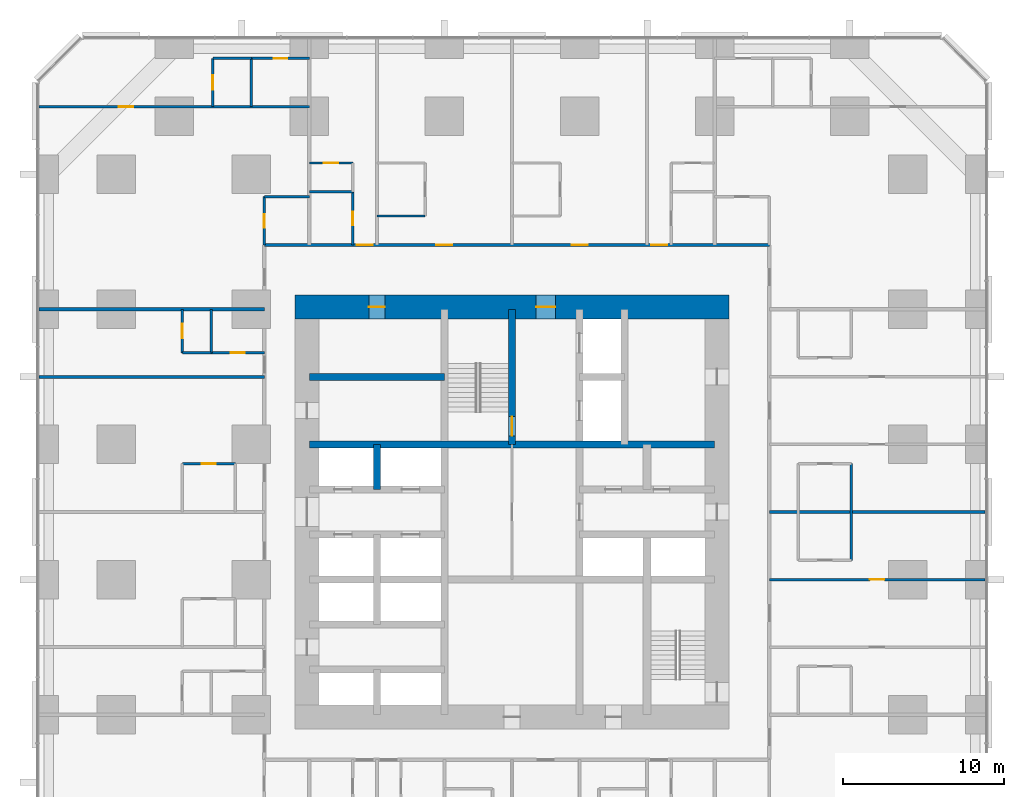
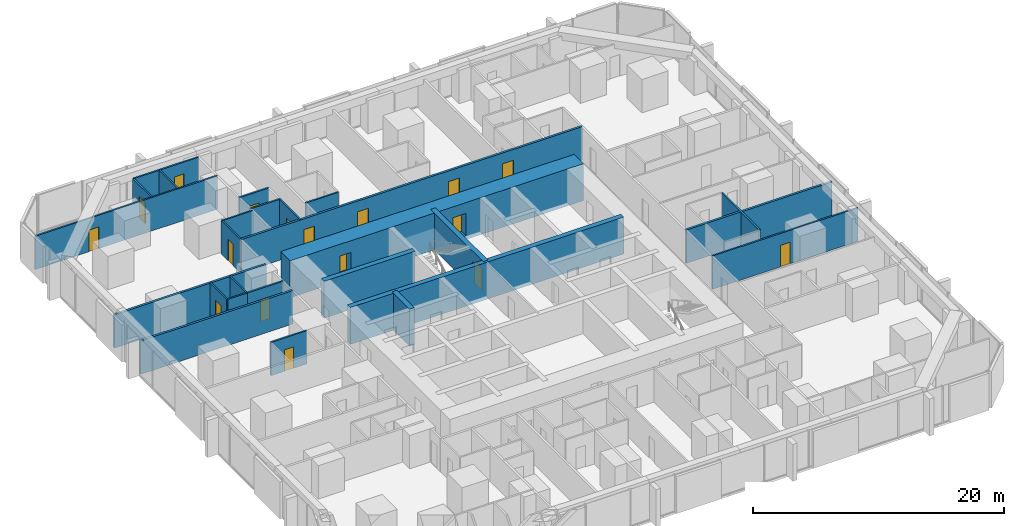
# One storey, part 14 of 17: 27 walls, 17 doors, 17 openings.
"""IFC4 building model written with IfcOpenShell, lengths in metres."""

from ifc_helpers import new_model, si_unit, direction, frame, frame_2d, origin, place, context, subcontext, project, spatial, rectangle, extrude, material, layer, layer_set, type_object, element, fill, save


model = new_model("IFC4")

# Units and contexts
model_context = context("Model", 3, precision=1e-05, world=origin(), true_north=direction((0.0, 1.0)))
body_context = subcontext(model_context, "Body", "Model", "MODEL_VIEW")
ifc_project = project(units=[si_unit("LENGTHUNIT", "METRE"), si_unit("AREAUNIT", "SQUARE_METRE"), si_unit("VOLUMEUNIT", "CUBIC_METRE"), si_unit("PLANEANGLEUNIT", "RADIAN"), si_unit("MASSUNIT", "GRAM", prefix="KILO")], contexts=[model_context])

# Site, building, storey
site_placement = place(None, origin())
site = spatial("IfcSite", under=ifc_project, at=site_placement, CompositionType="ELEMENT")
building_placement = place(site_placement, origin())
building = spatial("IfcBuilding", under=site, at=building_placement, Name="Dunama Terrace Hotel", CompositionType="ELEMENT")
storey_placement = place(building_placement, frame((0.0, 0.0, 81.0)))
storey = spatial("IfcBuildingStorey", under=building, at=storey_placement, Name="L20", CompositionType="ELEMENT", Elevation=81.0)

# Wall, opening, door
ifc_material_1 = material(Name="Gypsum board partition", Category="masonry")
ifc_layer_1 = layer(ifc_material_1, 0.14990234375)
ifc_layer_set_1 = layer_set([ifc_layer_1], Name="Bathroom partition 150")
wall_type_1 = type_object("IfcWallType", Name="Bathroom partition 150", PredefinedType="PARTITIONING", material=ifc_layer_set_1)
wall_1_placement = place(storey_placement, frame((14.0, 46.0, 0.0), z_axis=(0.0, 0.0, 1.0), x_axis=(0.0, 1.0, 0.0)))
wall_1 = element("IfcWall", 1, at=wall_1_placement, inside=storey, type_object=wall_type_1, Name="Bathroom partition 150 L20", PredefinedType="PARTITIONING", context=body_context, shape_type="SweptSolid", body=[
    extrude(rectangle(XDim=3.0, YDim=0.14990234375, at=frame_2d((1.5, 0.0))), origin(), (0.0, 0.0, 1.0), 3.25),
])
opening_1_placement = place(wall_1_placement, frame((1.074951171875, 0.0, 0.0)))
opening_1 = element("IfcOpeningElement", 2, at=opening_1_placement, cuts=wall_1, Name="Opening L20-069", PredefinedType="OPENING", context=body_context, shape_type="SweptSolid", body=[
    extrude(rectangle(XDim=0.85009765625, YDim=2.10009765625, at=frame_2d((0.425048828125, 1.050048828125))), frame((0.0, 0.0849609375, 0.0), z_axis=(0.0, -1.0, 0.0), x_axis=(1.0, 0.0, 0.0)), (0.0, 0.0, 1.0), 0.169921875),
])
ifc_material_2 = material(Name="Timber door with steel frame", Category="steel")
door_type_1 = type_object("IfcDoorType", Name="Bathroom door 850", OperationType="SINGLE_SWING_LEFT", PredefinedType="DOOR", material=ifc_material_2)
door_1_placement = place(opening_1_placement, frame((0.85009765625, 0.0, 0.0), z_axis=(0.0, 0.0, 1.0), x_axis=(-1.0, 0.0, 0.0)))
door_1 = element("IfcDoor", 3, at=door_1_placement, inside=storey, type_object=door_type_1, Name="Door to powder room L20-069, type D2", OperationType="SINGLE_SWING_RIGHT", OverallHeight=2.10009765625, OverallWidth=0.85009765625, PredefinedType="DOOR", context=body_context, shape_type="SweptSolid", body=[
    extrude(rectangle(XDim=0.85009765625, YDim=2.10009765625, at=frame_2d((0.425048828125, 1.050048828125))), frame((0.0, 0.025146484375, 0.0), z_axis=(0.0, -1.0, 0.0), x_axis=(1.0, 0.0, 0.0)), (0.0, 0.0, 1.0), 0.050048828125),
])
fill(opening_1, door_1)

wall_2_placement = place(storey_placement, frame((19.5, 46.0, 0.0), z_axis=(0.0, 0.0, 1.0), x_axis=(0.0, 1.0, 0.0)))
wall_2 = element("IfcWall", 4, at=wall_2_placement, inside=storey, type_object=wall_type_1, Name="Bathroom partition 150 L20", PredefinedType="PARTITIONING", context=body_context, shape_type="SweptSolid", body=[
    extrude(rectangle(XDim=3.300048828125, YDim=0.14990234375, at=frame_2d((1.64990234375, 0.0))), origin(), (0.0, 0.0, 1.0), 3.25),
])
opening_2_placement = place(wall_2_placement, frame((1.22509765625, 0.0, 0.0)))
opening_2 = element("IfcOpeningElement", 5, at=opening_2_placement, cuts=wall_2, Name="Opening L20-034", PredefinedType="OPENING", context=body_context, shape_type="SweptSolid", body=[
    extrude(rectangle(XDim=0.85009765625, YDim=2.10009765625, at=frame_2d((0.425048828125, 1.050048828125))), frame((0.0, 0.0849609375, 0.0), z_axis=(0.0, -1.0, 0.0), x_axis=(1.0, 0.0, 0.0)), (0.0, 0.0, 1.0), 0.169921875),
])
door_2_placement = place(opening_2_placement, origin())
door_2 = element("IfcDoor", 6, at=door_2_placement, inside=storey, type_object=door_type_1, Name="Door to en-suite bathroom L20-034, type D2", OperationType="SINGLE_SWING_LEFT", OverallHeight=2.10009765625, OverallWidth=0.85009765625, PredefinedType="DOOR", context=body_context, shape_type="SweptSolid", body=[
    extrude(rectangle(XDim=0.85009765625, YDim=2.10009765625, at=frame_2d((0.425048828125, 1.050048828125))), frame((0.0, 0.02490234375, 0.0), z_axis=(0.0, -1.0, 0.0), x_axis=(1.0, 0.0, 0.0)), (0.0, 0.0, 1.0), 0.050048828125),
])
fill(opening_2, door_2)

# Wall
wall_3_placement = place(storey_placement, frame((50.5, 26.39990234375, 0.0), z_axis=(0.0, 0.0, 1.0), x_axis=(0.0, 1.0, 0.0)))
element("IfcWall", 7, at=wall_3_placement, inside=storey, type_object=wall_type_1, Name="Bathroom partition 150 L20", PredefinedType="PARTITIONING", context=body_context, shape_type="SweptSolid", body=[
    extrude(rectangle(XDim=6.0, YDim=0.14990234375, at=frame_2d((3.0, 0.0))), origin(), (0.0, 0.0, 1.0), 3.25),
])

# Wall, opening, door
wall_4_placement = place(storey_placement, frame((8.89990234375, 32.39990234375, 0.0), z_axis=(0.0, 0.0, 1.0), x_axis=(1.0, 0.0, 0.0)))
wall_4 = element("IfcWall", 8, at=wall_4_placement, inside=storey, type_object=wall_type_1, Name="Bathroom partition 150 L20", PredefinedType="PARTITIONING", context=body_context, shape_type="SweptSolid", body=[
    extrude(rectangle(XDim=3.300048828125, YDim=0.14990234375, at=frame_2d((1.64990234375, 0.0))), origin(), (0.0, 0.0, 1.0), 3.25),
])
opening_3_placement = place(wall_4_placement, frame((1.22509765625, 0.0, 0.0)))
opening_3 = element("IfcOpeningElement", 9, at=opening_3_placement, cuts=wall_4, Name="Opening L20-049", PredefinedType="OPENING", context=body_context, shape_type="SweptSolid", body=[
    extrude(rectangle(XDim=0.85009765625, YDim=2.10009765625, at=frame_2d((0.425048828125, 1.050048828125))), frame((0.0, 0.0849609375, 0.0), z_axis=(0.0, -1.0, 0.0), x_axis=(1.0, 0.0, 0.0)), (0.0, 0.0, 1.0), 0.169921875),
])
door_3_placement = place(opening_3_placement, frame((0.85009765625, 0.0, 0.0), z_axis=(0.0, 0.0, 1.0), x_axis=(-1.0, 0.0, 0.0)))
door_3 = element("IfcDoor", 10, at=door_3_placement, inside=storey, type_object=door_type_1, Name="Door to en-suite bathroom L20-049, type D2", OperationType="SINGLE_SWING_LEFT", OverallHeight=2.10009765625, OverallWidth=0.85009765625, PredefinedType="DOOR", context=body_context, shape_type="SweptSolid", body=[
    extrude(rectangle(XDim=0.85009765625, YDim=2.10009765625, at=frame_2d((0.425048828125, 1.050048828125))), frame((0.0, 0.025146484375, 0.0), z_axis=(0.0, -1.0, 0.0), x_axis=(1.0, 0.0, 0.0)), (0.0, 0.0, 1.0), 0.050048828125),
])
fill(opening_3, door_3)

wall_5_placement = place(storey_placement, frame((10.699951171875, 39.300048828125, 0.0), z_axis=(0.0, 0.0, 1.0), x_axis=(1.0, 0.0, 0.0)))
wall_5 = element("IfcWall", 11, at=wall_5_placement, inside=storey, type_object=wall_type_1, Name="Bathroom partition 150 L20", PredefinedType="PARTITIONING", context=body_context, shape_type="SweptSolid", body=[
    extrude(rectangle(XDim=3.300048828125, YDim=0.14990234375, at=frame_2d((1.64990234375, 0.0))), origin(), (0.0, 0.0, 1.0), 3.25),
])
opening_4_placement = place(wall_5_placement, frame((1.22509765625, 0.0, 0.0)))
opening_4 = element("IfcOpeningElement", 12, at=opening_4_placement, cuts=wall_5, Name="Opening L20-051", PredefinedType="OPENING", context=body_context, shape_type="SweptSolid", body=[
    extrude(rectangle(XDim=0.85009765625, YDim=2.10009765625, at=frame_2d((0.425048828125, 1.050048828125))), frame((0.0, 0.0849609375, 0.0), z_axis=(0.0, -1.0, 0.0), x_axis=(1.0, 0.0, 0.0)), (0.0, 0.0, 1.0), 0.169921875),
])
door_4_placement = place(opening_4_placement, origin())
door_4 = element("IfcDoor", 13, at=door_4_placement, inside=storey, type_object=door_type_1, Name="Door to en-suite bathroom L20-051, type D2", OperationType="SINGLE_SWING_RIGHT", OverallHeight=2.10009765625, OverallWidth=0.85009765625, PredefinedType="DOOR", context=body_context, shape_type="SweptSolid", body=[
    extrude(rectangle(XDim=0.85009765625, YDim=2.10009765625, at=frame_2d((0.425048828125, 1.050048828125))), frame((0.0, 0.02490234375, 0.0), z_axis=(0.0, -1.0, 0.0), x_axis=(1.0, 0.0, 0.0)), (0.0, 0.0, 1.0), 0.050048828125),
])
fill(opening_4, door_4)

# Walls
wall_6_placement = place(storey_placement, frame((21.0, 47.800048828125, 0.0), z_axis=(0.0, 0.0, 1.0), x_axis=(1.0, 0.0, 0.0)))
element("IfcWall", 14, at=wall_6_placement, inside=storey, type_object=wall_type_1, Name="Bathroom partition 150 L20", PredefinedType="PARTITIONING", context=body_context, shape_type="SweptSolid", body=[
    extrude(rectangle(XDim=3.0, YDim=0.14990234375, at=frame_2d((1.5, 0.0))), origin(), (0.0, 0.0, 1.0), 3.25),
])
wall_7_placement = place(storey_placement, frame((14.0, 49.0, 0.0), z_axis=(0.0, 0.0, 1.0), x_axis=(1.0, 0.0, 0.0)))
element("IfcWall", 15, at=wall_7_placement, inside=storey, type_object=wall_type_1, Name="Bathroom partition 150 L20", PredefinedType="PARTITIONING", context=body_context, shape_type="SweptSolid", body=[
    extrude(rectangle(XDim=2.800048828125, YDim=0.14990234375, at=frame_2d((1.39990234375, 0.0))), origin(), (0.0, 0.0, 1.0), 3.25),
])

# Wall, opening, door
wall_8_placement = place(storey_placement, frame((13.199951171875, 57.60009765625, 0.0), z_axis=(0.0, 0.0, 1.0), x_axis=(1.0, 0.0, 0.0)))
wall_8 = element("IfcWall", 16, at=wall_8_placement, inside=storey, type_object=wall_type_1, Name="Bathroom partition 150 L20", PredefinedType="PARTITIONING", context=body_context, shape_type="SweptSolid", body=[
    extrude(rectangle(XDim=3.60009765625, YDim=0.14990234375, at=frame_2d((1.800048828125, 0.0))), origin(), (0.0, 0.0, 1.0), 3.25),
])
opening_5_placement = place(wall_8_placement, frame((1.375, 0.0, 0.0)))
opening_5 = element("IfcOpeningElement", 17, at=opening_5_placement, cuts=wall_8, Name="Opening L20-071", PredefinedType="OPENING", context=body_context, shape_type="SweptSolid", body=[
    extrude(rectangle(XDim=0.85009765625, YDim=2.10009765625, at=frame_2d((0.425048828125, 1.050048828125))), frame((0.0, 0.0849609375, 0.0), z_axis=(0.0, -1.0, 0.0), x_axis=(1.0, 0.0, 0.0)), (0.0, 0.0, 1.0), 0.169921875),
])
door_5_placement = place(opening_5_placement, frame((0.85009765625, 0.0, 0.0), z_axis=(0.0, 0.0, 1.0), x_axis=(-1.0, 0.0, 0.0)))
door_5 = element("IfcDoor", 18, at=door_5_placement, inside=storey, type_object=door_type_1, Name="Door to en-suite bathroom L20-071, type D2", OperationType="SINGLE_SWING_LEFT", OverallHeight=2.10009765625, OverallWidth=0.85009765625, PredefinedType="DOOR", context=body_context, shape_type="SweptSolid", body=[
    extrude(rectangle(XDim=0.85009765625, YDim=2.10009765625, at=frame_2d((0.425048828125, 1.050048828125))), frame((0.0, 0.025146484375, 0.0), z_axis=(0.0, -1.0, 0.0), x_axis=(1.0, 0.0, 0.0)), (0.0, 0.0, 1.0), 0.050048828125),
])
fill(opening_5, door_5)

# Wall
ifc_material_3 = material(Name="Concrete C50/60", Category="concrete")
ifc_layer_2 = layer(ifc_material_3, 0.449951171875)
ifc_layer_set_2 = layer_set([ifc_layer_2], Name="Core inner wall 450")
wall_type_2 = type_object("IfcWallType", Name="Core inner wall 450", PredefinedType="SHEAR", material=ifc_layer_set_2)
wall_9_placement = place(storey_placement, frame((21.0, 30.800048828125, -0.35009765625), z_axis=(0.0, 0.0, 1.0), x_axis=(0.0, 1.0, 0.0)))
element("IfcWall", 19, at=wall_9_placement, inside=storey, type_object=wall_type_2, Name="Core inner wall 450 L20", PredefinedType="SHEAR", context=body_context, shape_type="SweptSolid", body=[
    extrude(rectangle(XDim=2.800048828125, YDim=0.449951171875, at=frame_2d((1.39990234375, 0.0))), origin(), (0.0, 0.0, 1.0), 3.60009765625),
])

# Wall, opening, door
wall_10_placement = place(storey_placement, frame((29.39990234375, 33.60009765625, -0.35009765625), z_axis=(0.0, 0.0, 1.0), x_axis=(0.0, 1.0, 0.0)))
wall_10 = element("IfcWall", 20, at=wall_10_placement, inside=storey, type_object=wall_type_2, Name="Core inner wall 450 L20", PredefinedType="SHEAR", context=body_context, shape_type="SweptSolid", body=[
    extrude(rectangle(XDim=8.39990234375, YDim=0.449951171875, at=frame_2d((4.199951171875, 0.0))), origin(), (0.0, 0.0, 1.0), 3.60009765625),
])
opening_6_placement = place(wall_10_placement, frame((0.52490234375, 0.0, 0.35009765625)))
opening_6 = element("IfcOpeningElement", 21, at=opening_6_placement, cuts=wall_10, Name="Opening L20-001", PredefinedType="OPENING", context=body_context, shape_type="SweptSolid", body=[
    extrude(rectangle(XDim=1.199951171875, YDim=2.199951171875, at=frame_2d((0.60009765625, 1.10009765625))), frame((0.0, 0.23486328125, 0.0), z_axis=(0.0, -1.0, 0.0), x_axis=(1.0, 0.0, 0.0)), (0.0, 0.0, 1.0), 0.469970703125),
])
ifc_material_4 = material(Name="Timber door with steel frame", Category="steel")
door_type_2 = type_object("IfcDoorType", Name="Stair door 1200", OperationType="SINGLE_SWING_LEFT", PredefinedType="DOOR", material=ifc_material_4)
door_6_placement = place(opening_6_placement, origin())
door_6 = element("IfcDoor", 22, at=door_6_placement, inside=storey, type_object=door_type_2, Name="Stair door ST1 L20-001, type D5", OperationType="SINGLE_SWING_LEFT", OverallHeight=2.199951171875, OverallWidth=1.199951171875, PredefinedType="DOOR", context=body_context, shape_type="SweptSolid", body=[
    extrude(rectangle(XDim=1.199951171875, YDim=2.199951171875, at=frame_2d((0.60009765625, 1.10009765625))), frame((0.0, 0.02490234375, 0.0), z_axis=(0.0, -1.0, 0.0), x_axis=(1.0, 0.0, 0.0)), (0.0, 0.0, 1.0), 0.050048828125),
])
fill(opening_6, door_6)

# Walls
wall_11_placement = place(storey_placement, frame((16.800048828125, 33.60009765625, -0.35009765625), z_axis=(0.0, 0.0, 1.0), x_axis=(1.0, 0.0, 0.0)))
element("IfcWall", 23, at=wall_11_placement, inside=storey, type_object=wall_type_2, Name="Core inner wall 450 L20", PredefinedType="SHEAR", context=body_context, shape_type="SweptSolid", body=[
    extrude(rectangle(XDim=25.199951171875, YDim=0.449951171875, at=frame_2d((12.60009765625, 0.0))), origin(), (0.0, 0.0, 1.0), 3.60009765625),
])
wall_12_placement = place(storey_placement, frame((16.800048828125, 37.800048828125, -0.35009765625), z_axis=(0.0, 0.0, 1.0), x_axis=(1.0, 0.0, 0.0)))
element("IfcWall", 24, at=wall_12_placement, inside=storey, type_object=wall_type_2, Name="Core inner wall 450 L20", PredefinedType="SHEAR", context=body_context, shape_type="SweptSolid", body=[
    extrude(rectangle(XDim=8.39990234375, YDim=0.449951171875, at=frame_2d((4.199951171875, 0.0))), origin(), (0.0, 0.0, 1.0), 3.60009765625),
])

# Wall, openings, doors
ifc_material_5 = material(Name="Concrete C60/75", Category="concrete")
ifc_layer_3 = layer(ifc_material_5, 1.5)
ifc_layer_set_3 = layer_set([ifc_layer_3], Name="Core wall 1500")
wall_type_3 = type_object("IfcWallType", Name="Core wall 1500", PredefinedType="SHEAR", material=ifc_layer_set_3)
wall_13_placement = place(storey_placement, frame((42.89990234375, 42.14990234375, -0.35009765625), z_axis=(0.0, 0.0, 1.0), x_axis=(-1.0, 0.0, 0.0)))
wall_13 = element("IfcWall", 25, at=wall_13_placement, inside=storey, type_object=wall_type_3, Name="Core wall north L20", PredefinedType="SHEAR", context=body_context, shape_type="SweptSolid", body=[
    extrude(rectangle(XDim=27.0, YDim=1.5, at=frame_2d((13.5, 0.0))), origin(), (0.0, 0.0, 1.0), 3.60009765625),
])
opening_7_placement = place(wall_13_placement, frame((21.39990234375, 0.0, 0.35009765625)))
opening_7 = element("IfcOpeningElement", 26, at=opening_7_placement, cuts=wall_13, Name="Opening L20-076", PredefinedType="OPENING", context=body_context, shape_type="SweptSolid", body=[
    extrude(rectangle(XDim=1.0, YDim=2.10009765625, at=frame_2d((0.5, 1.050048828125))), frame((0.0, 0.760009765625, 0.0), z_axis=(0.0, -1.0, 0.0), x_axis=(1.0, 0.0, 0.0)), (0.0, 0.0, 1.0), 1.52001953125),
])
opening_8_placement = place(wall_13_placement, frame((10.800048828125, 0.0, 0.35009765625)))
opening_8 = element("IfcOpeningElement", 27, at=opening_8_placement, cuts=wall_13, Name="Opening L20-082", PredefinedType="OPENING", context=body_context, shape_type="SweptSolid", body=[
    extrude(rectangle(XDim=1.199951171875, YDim=2.199951171875, at=frame_2d((0.60009765625, 1.10009765625))), frame((0.0, 0.760009765625, 0.0), z_axis=(0.0, -1.0, 0.0), x_axis=(1.0, 0.0, 0.0)), (0.0, 0.0, 1.0), 1.52001953125),
])
ifc_material_6 = material(Name="Timber door with steel frame", Category="steel")
door_type_3 = type_object("IfcDoorType", Name="Firefighting lobby door 1200", OperationType="SINGLE_SWING_LEFT", PredefinedType="DOOR", material=ifc_material_6)
door_7_placement = place(opening_8_placement, origin())
door_7 = element("IfcDoor", 28, at=door_7_placement, inside=storey, type_object=door_type_3, Name="Door to firefighting lobby L20-082, type D4", OperationType="SINGLE_SWING_RIGHT", OverallHeight=2.199951171875, OverallWidth=1.199951171875, PredefinedType="DOOR", context=body_context, shape_type="SweptSolid", body=[
    extrude(rectangle(XDim=1.199951171875, YDim=2.199951171875, at=frame_2d((0.60009765625, 1.10009765625))), frame((0.0, 0.02490234375, 0.0), z_axis=(0.0, -1.0, 0.0), x_axis=(1.0, 0.0, 0.0)), (0.0, 0.0, 1.0), 0.050048828125),
])
fill(opening_8, door_7)
ifc_material_7 = material(Name="Timber door with steel frame", Category="steel")
door_type_4 = type_object("IfcDoorType", Name="Service door 1000", OperationType="SINGLE_SWING_LEFT", PredefinedType="DOOR", material=ifc_material_7)
door_8_placement = place(opening_7_placement, origin())
door_8 = element("IfcDoor", 29, at=door_8_placement, inside=storey, type_object=door_type_4, Name="Door to communications and riser room L20-076, type D7", OperationType="SINGLE_SWING_RIGHT", OverallHeight=2.10009765625, OverallWidth=1.0, PredefinedType="DOOR", context=body_context, shape_type="SweptSolid", body=[
    extrude(rectangle(XDim=1.0, YDim=2.10009765625, at=frame_2d((0.5, 1.050048828125))), frame((0.0, 0.02490234375, 0.0), z_axis=(0.0, -1.0, 0.0), x_axis=(1.0, 0.0, 0.0)), (0.0, 0.0, 1.0), 0.050048828125),
])
fill(opening_7, door_8)

ifc_material_8 = material(Name="Concrete blockwork", Category="masonry")
ifc_layer_4 = layer(ifc_material_8, 0.199951171875)
ifc_layer_set_4 = layer_set([ifc_layer_4], Name="Corridor partition 200")
wall_type_4 = type_object("IfcWallType", Name="Corridor partition 200", PredefinedType="PARTITIONING", material=ifc_layer_set_4)
wall_14_placement = place(storey_placement, frame((14.0, 46.0, 0.0), z_axis=(0.0, 0.0, 1.0), x_axis=(1.0, 0.0, 0.0)))
wall_14 = element("IfcWall", 30, at=wall_14_placement, inside=storey, type_object=wall_type_4, Name="Corridor partition 200 L20", PredefinedType="PARTITIONING", context=body_context, shape_type="SweptSolid", body=[
    extrude(rectangle(XDim=31.39990234375, YDim=0.199951171875, at=frame_2d((15.699951171875, 0.0))), origin(), (0.0, 0.0, 1.0), 3.25),
])
opening_9_placement = place(wall_14_placement, frame((5.75, 0.0, 0.0)))
opening_9 = element("IfcOpeningElement", 31, at=opening_9_placement, cuts=wall_14, Name="Opening L20-033", PredefinedType="OPENING", context=body_context, shape_type="SweptSolid", body=[
    extrude(rectangle(XDim=1.0, YDim=2.199951171875, at=frame_2d((0.5, 1.10009765625))), frame((0.0, 0.10986328125, 0.0), z_axis=(0.0, -1.0, 0.0), x_axis=(1.0, 0.0, 0.0)), (0.0, 0.0, 1.0), 0.219970703125),
])
opening_10_placement = place(wall_14_placement, frame((10.699951171875, 0.0, 0.0)))
opening_10 = element("IfcOpeningElement", 32, at=opening_10_placement, cuts=wall_14, Name="Opening L20-036", PredefinedType="OPENING", context=body_context, shape_type="SweptSolid", body=[
    extrude(rectangle(XDim=1.0, YDim=2.199951171875, at=frame_2d((0.5, 1.10009765625))), frame((0.0, 0.10986328125, 0.0), z_axis=(0.0, -1.0, 0.0), x_axis=(1.0, 0.0, 0.0)), (0.0, 0.0, 1.0), 0.219970703125),
])
opening_11_placement = place(wall_14_placement, frame((19.10009765625, 0.0, 0.0)))
opening_11 = element("IfcOpeningElement", 33, at=opening_11_placement, cuts=wall_14, Name="Opening L20-038", PredefinedType="OPENING", context=body_context, shape_type="SweptSolid", body=[
    extrude(rectangle(XDim=1.0, YDim=2.199951171875, at=frame_2d((0.5, 1.10009765625))), frame((0.0, 0.10986328125, 0.0), z_axis=(0.0, -1.0, 0.0), x_axis=(1.0, 0.0, 0.0)), (0.0, 0.0, 1.0), 0.219970703125),
])
opening_12_placement = place(wall_14_placement, frame((24.050048828125, 0.0, 0.0)))
opening_12 = element("IfcOpeningElement", 34, at=opening_12_placement, cuts=wall_14, Name="Opening L20-040", PredefinedType="OPENING", context=body_context, shape_type="SweptSolid", body=[
    extrude(rectangle(XDim=1.0, YDim=2.199951171875, at=frame_2d((0.5, 1.10009765625))), frame((0.0, 0.10986328125, 0.0), z_axis=(0.0, -1.0, 0.0), x_axis=(1.0, 0.0, 0.0)), (0.0, 0.0, 1.0), 0.219970703125),
])
ifc_material_9 = material(Name="Timber door with steel frame", Category="steel")
door_type_5 = type_object("IfcDoorType", Name="Guest room door 1000", OperationType="SINGLE_SWING_LEFT", PredefinedType="DOOR", material=ifc_material_9)
door_9_placement = place(opening_9_placement, origin())
door_9 = element("IfcDoor", 35, at=door_9_placement, inside=storey, type_object=door_type_5, Name="Door to deluxe room L20-033, type D1", OperationType="SINGLE_SWING_RIGHT", OverallHeight=2.199951171875, OverallWidth=1.0, PredefinedType="DOOR", context=body_context, shape_type="SweptSolid", body=[
    extrude(rectangle(XDim=1.0, YDim=2.199951171875, at=frame_2d((0.5, 1.10009765625))), frame((0.0, 0.02490234375, 0.0), z_axis=(0.0, -1.0, 0.0), x_axis=(1.0, 0.0, 0.0)), (0.0, 0.0, 1.0), 0.050048828125),
])
fill(opening_9, door_9)
door_10_placement = place(opening_10_placement, origin())
door_10 = element("IfcDoor", 36, at=door_10_placement, inside=storey, type_object=door_type_5, Name="Door to junior suite L20-036, type D1", OperationType="SINGLE_SWING_LEFT", OverallHeight=2.199951171875, OverallWidth=1.0, PredefinedType="DOOR", context=body_context, shape_type="SweptSolid", body=[
    extrude(rectangle(XDim=1.0, YDim=2.199951171875, at=frame_2d((0.5, 1.10009765625))), frame((0.0, 0.02490234375, 0.0), z_axis=(0.0, -1.0, 0.0), x_axis=(1.0, 0.0, 0.0)), (0.0, 0.0, 1.0), 0.050048828125),
])
fill(opening_10, door_10)
door_11_placement = place(opening_11_placement, origin())
door_11 = element("IfcDoor", 37, at=door_11_placement, inside=storey, type_object=door_type_5, Name="Door to junior suite L20-038, type D1", OperationType="SINGLE_SWING_LEFT", OverallHeight=2.199951171875, OverallWidth=1.0, PredefinedType="DOOR", context=body_context, shape_type="SweptSolid", body=[
    extrude(rectangle(XDim=1.0, YDim=2.199951171875, at=frame_2d((0.5, 1.10009765625))), frame((0.0, 0.02490234375, 0.0), z_axis=(0.0, -1.0, 0.0), x_axis=(1.0, 0.0, 0.0)), (0.0, 0.0, 1.0), 0.050048828125),
])
fill(opening_11, door_11)
door_12_placement = place(opening_12_placement, origin())
door_12 = element("IfcDoor", 38, at=door_12_placement, inside=storey, type_object=door_type_5, Name="Door to deluxe room L20-040, type D1", OperationType="SINGLE_SWING_LEFT", OverallHeight=2.199951171875, OverallWidth=1.0, PredefinedType="DOOR", context=body_context, shape_type="SweptSolid", body=[
    extrude(rectangle(XDim=1.0, YDim=2.199951171875, at=frame_2d((0.5, 1.10009765625))), frame((0.0, 0.02490234375, 0.0), z_axis=(0.0, -1.0, 0.0), x_axis=(1.0, 0.0, 0.0)), (0.0, 0.0, 1.0), 0.050048828125),
])
fill(opening_12, door_12)

# Walls
ifc_material_10 = material(Name="Concrete blockwork", Category="masonry")
ifc_layer_5 = layer(ifc_material_10, 0.199951171875)
ifc_layer_set_5 = layer_set([ifc_layer_5], Name="Party wall 200")
wall_type_5 = type_object("IfcWallType", Name="Party wall 200", PredefinedType="PARTITIONING", material=ifc_layer_set_5)
wall_15_placement = place(storey_placement, frame((45.39990234375, 29.39990234375, 0.0), z_axis=(0.0, 0.0, 1.0), x_axis=(1.0, 0.0, 0.0)))
element("IfcWall", 39, at=wall_15_placement, inside=storey, type_object=wall_type_5, Name="Party wall 200 L20", PredefinedType="PARTITIONING", context=body_context, shape_type="SweptSolid", body=[
    extrude(rectangle(XDim=13.408203125, YDim=0.199951171875, at=frame_2d((6.7041015625, 0.0))), origin(), (0.0, 0.0, 1.0), 3.25),
])
for number, where, z_axis, x_axis, name in (
    (40, (-0.008056640625, 37.800048828125, 0.0), (0.0, 0.0, 1.0), (1.0, 0.0, 0.0), "Party wall 200 L20"),
    (41, (-0.008056640625, 42.0, 0.0), (0.0, 0.0, 1.0), (1.0, 0.0, 0.0), "Party wall 200 L20"),
):
    element("IfcWall", number, at=place(storey_placement, frame(where, z_axis=z_axis, x_axis=x_axis)), inside=storey, type_object=wall_type_5, Name=name, PredefinedType="PARTITIONING", context=body_context, shape_type="SweptSolid", body=[
        extrude(rectangle(XDim=14.008056640625, YDim=0.199951171875, at=frame_2d((7.00390625, 0.0))), origin(), (0.0, 0.0, 1.0), 3.25),
    ])

# Wall, opening, door
ifc_material_11 = material(Name="Gypsum board partition", Category="masonry")
ifc_layer_6 = layer(ifc_material_11, 0.14990234375)
ifc_layer_set_6 = layer_set([ifc_layer_6], Name="Room partition 150")
wall_type_6 = type_object("IfcWallType", Name="Room partition 150", PredefinedType="PARTITIONING", material=ifc_layer_set_6)
wall_16_placement = place(storey_placement, frame((8.89990234375, 39.300048828125, 0.0), z_axis=(0.0, 0.0, 1.0), x_axis=(0.0, 1.0, 0.0)))
wall_16 = element("IfcWall", 42, at=wall_16_placement, inside=storey, type_object=wall_type_6, Name="Room partition 150 L20", PredefinedType="PARTITIONING", context=body_context, shape_type="SweptSolid", body=[
    extrude(rectangle(XDim=2.699951171875, YDim=0.14990234375, at=frame_2d((1.35009765625, 0.0))), origin(), (0.0, 0.0, 1.0), 3.25),
])
opening_13_placement = place(wall_16_placement, frame((0.89990234375, 0.0, 0.0)))
opening_13 = element("IfcOpeningElement", 43, at=opening_13_placement, cuts=wall_16, Name="Opening L20-052", PredefinedType="OPENING", context=body_context, shape_type="SweptSolid", body=[
    extrude(rectangle(XDim=0.89990234375, YDim=2.10009765625, at=frame_2d((0.449951171875, 1.050048828125))), frame((0.0, 0.0849609375, 0.0), z_axis=(0.0, -1.0, 0.0), x_axis=(1.0, 0.0, 0.0)), (0.0, 0.0, 1.0), 0.169921875),
])
ifc_material_12 = material(Name="Timber door with steel frame", Category="steel")
door_type_6 = type_object("IfcDoorType", Name="Suite internal door 900", OperationType="SINGLE_SWING_LEFT", PredefinedType="DOOR", material=ifc_material_12)
door_13_placement = place(opening_13_placement, frame((0.89990234375, 0.0, 0.0), z_axis=(0.0, 0.0, 1.0), x_axis=(-1.0, 0.0, 0.0)))
door_13 = element("IfcDoor", 44, at=door_13_placement, inside=storey, type_object=door_type_6, Name="Door to walk-in wardrobe L20-052, type D16", OperationType="SINGLE_SWING_LEFT", OverallHeight=2.10009765625, OverallWidth=0.89990234375, PredefinedType="DOOR", context=body_context, shape_type="SweptSolid", body=[
    extrude(rectangle(XDim=0.89990234375, YDim=2.10009765625, at=frame_2d((0.449951171875, 1.050048828125))), frame((0.0, 0.025146484375, 0.0), z_axis=(0.0, -1.0, 0.0), x_axis=(1.0, 0.0, 0.0)), (0.0, 0.0, 1.0), 0.050048828125),
])
fill(opening_13, door_13)

# Wall
wall_17_placement = place(storey_placement, frame((10.699951171875, 39.300048828125, 0.0), z_axis=(0.0, 0.0, 1.0), x_axis=(0.0, 1.0, 0.0)))
element("IfcWall", 45, at=wall_17_placement, inside=storey, type_object=wall_type_6, Name="Room partition 150 L20", PredefinedType="PARTITIONING", context=body_context, shape_type="SweptSolid", body=[
    extrude(rectangle(XDim=2.699951171875, YDim=0.14990234375, at=frame_2d((1.35009765625, 0.0))), origin(), (0.0, 0.0, 1.0), 3.25),
])

# Wall, opening, door
wall_18_placement = place(storey_placement, frame((10.800048828125, 54.60009765625, 0.0), z_axis=(0.0, 0.0, 1.0), x_axis=(0.0, 1.0, 0.0)))
wall_18 = element("IfcWall", 46, at=wall_18_placement, inside=storey, type_object=wall_type_6, Name="Room partition 150 L20", PredefinedType="PARTITIONING", context=body_context, shape_type="SweptSolid", body=[
    extrude(rectangle(XDim=3.0, YDim=0.14990234375, at=frame_2d((1.5, 0.0))), origin(), (0.0, 0.0, 1.0), 3.25),
])
opening_14_placement = place(wall_18_placement, frame((1.050048828125, 0.0, 0.0)))
opening_14 = element("IfcOpeningElement", 47, at=opening_14_placement, cuts=wall_18, Name="Opening L20-072", PredefinedType="OPENING", context=body_context, shape_type="SweptSolid", body=[
    extrude(rectangle(XDim=0.89990234375, YDim=2.10009765625, at=frame_2d((0.449951171875, 1.050048828125))), frame((0.0, 0.0849609375, 0.0), z_axis=(0.0, -1.0, 0.0), x_axis=(1.0, 0.0, 0.0)), (0.0, 0.0, 1.0), 0.169921875),
])
door_14_placement = place(opening_14_placement, frame((0.89990234375, 0.0, 0.0), z_axis=(0.0, 0.0, 1.0), x_axis=(-1.0, 0.0, 0.0)))
door_14 = element("IfcDoor", 48, at=door_14_placement, inside=storey, type_object=door_type_6, Name="Door to dressing room L20-072, type D16", OperationType="SINGLE_SWING_RIGHT", OverallHeight=2.10009765625, OverallWidth=0.89990234375, PredefinedType="DOOR", context=body_context, shape_type="SweptSolid", body=[
    extrude(rectangle(XDim=0.89990234375, YDim=2.10009765625, at=frame_2d((0.449951171875, 1.050048828125))), frame((0.0, 0.025146484375, 0.0), z_axis=(0.0, -1.0, 0.0), x_axis=(1.0, 0.0, 0.0)), (0.0, 0.0, 1.0), 0.050048828125),
])
fill(opening_14, door_14)

# Wall
wall_19_placement = place(storey_placement, frame((13.199951171875, 54.60009765625, 0.0), z_axis=(0.0, 0.0, 1.0), x_axis=(0.0, 1.0, 0.0)))
element("IfcWall", 49, at=wall_19_placement, inside=storey, type_object=wall_type_6, Name="Room partition 150 L20", PredefinedType="PARTITIONING", context=body_context, shape_type="SweptSolid", body=[
    extrude(rectangle(XDim=3.0, YDim=0.14990234375, at=frame_2d((1.5, 0.0))), origin(), (0.0, 0.0, 1.0), 3.25),
])

# Wall, opening, door
wall_20_placement = place(storey_placement, frame((45.39990234375, 25.199951171875, 0.0), z_axis=(0.0, 0.0, 1.0), x_axis=(1.0, 0.0, 0.0)))
wall_20 = element("IfcWall", 50, at=wall_20_placement, inside=storey, type_object=wall_type_6, Name="Room partition 150 L20", PredefinedType="PARTITIONING", context=body_context, shape_type="SweptSolid", body=[
    extrude(rectangle(XDim=13.408203125, YDim=0.14990234375, at=frame_2d((6.7041015625, 0.0))), origin(), (0.0, 0.0, 1.0), 3.25),
])
opening_15_placement = place(wall_20_placement, frame((6.25, 0.0, 0.0)))
opening_15 = element("IfcOpeningElement", 51, at=opening_15_placement, cuts=wall_20, Name="Opening L20-026", PredefinedType="OPENING", context=body_context, shape_type="SweptSolid", body=[
    extrude(rectangle(XDim=0.89990234375, YDim=2.10009765625, at=frame_2d((0.449951171875, 1.050048828125))), frame((0.0, 0.0849609375, 0.0), z_axis=(0.0, -1.0, 0.0), x_axis=(1.0, 0.0, 0.0)), (0.0, 0.0, 1.0), 0.169921875),
])
door_15_placement = place(opening_15_placement, origin())
door_15 = element("IfcDoor", 52, at=door_15_placement, inside=storey, type_object=door_type_6, Name="Door to family suite second bedroom L20-026, type D16", OperationType="SINGLE_SWING_RIGHT", OverallHeight=2.10009765625, OverallWidth=0.89990234375, PredefinedType="DOOR", context=body_context, shape_type="SweptSolid", body=[
    extrude(rectangle(XDim=0.89990234375, YDim=2.10009765625, at=frame_2d((0.449951171875, 1.050048828125))), frame((0.0, 0.02490234375, 0.0), z_axis=(0.0, -1.0, 0.0), x_axis=(1.0, 0.0, 0.0)), (0.0, 0.0, 1.0), 0.050048828125),
])
fill(opening_15, door_15)

# Walls
wall_21_placement = place(storey_placement, frame((8.89990234375, 39.300048828125, 0.0), z_axis=(0.0, 0.0, 1.0), x_axis=(1.0, 0.0, 0.0)))
element("IfcWall", 53, at=wall_21_placement, inside=storey, type_object=wall_type_6, Name="Room partition 150 L20", PredefinedType="PARTITIONING", context=body_context, shape_type="SweptSolid", body=[
    extrude(rectangle(XDim=1.800048828125, YDim=0.14990234375, at=frame_2d((0.89990234375, 0.0))), origin(), (0.0, 0.0, 1.0), 3.25),
])
wall_22_placement = place(storey_placement, frame((16.800048828125, 49.300048828125, 0.0), z_axis=(0.0, 0.0, 1.0), x_axis=(1.0, 0.0, 0.0)))
element("IfcWall", 54, at=wall_22_placement, inside=storey, type_object=wall_type_6, Name="Room partition 150 L20", PredefinedType="PARTITIONING", context=body_context, shape_type="SweptSolid", body=[
    extrude(rectangle(XDim=2.699951171875, YDim=0.14990234375, at=frame_2d((1.35009765625, 0.0))), origin(), (0.0, 0.0, 1.0), 3.25),
])

# Wall, opening, door
wall_23_placement = place(storey_placement, frame((16.800048828125, 51.10009765625, 0.0), z_axis=(0.0, 0.0, 1.0), x_axis=(1.0, 0.0, 0.0)))
wall_23 = element("IfcWall", 55, at=wall_23_placement, inside=storey, type_object=wall_type_6, Name="Room partition 150 L20", PredefinedType="PARTITIONING", context=body_context, shape_type="SweptSolid", body=[
    extrude(rectangle(XDim=2.699951171875, YDim=0.14990234375, at=frame_2d((1.35009765625, 0.0))), origin(), (0.0, 0.0, 1.0), 3.25),
])
opening_16_placement = place(wall_23_placement, frame((0.89990234375, 0.0, 0.0)))
opening_16 = element("IfcOpeningElement", 56, at=opening_16_placement, cuts=wall_23, Name="Opening L20-035", PredefinedType="OPENING", context=body_context, shape_type="SweptSolid", body=[
    extrude(rectangle(XDim=0.89990234375, YDim=2.10009765625, at=frame_2d((0.449951171875, 1.050048828125))), frame((0.0, 0.0849609375, 0.0), z_axis=(0.0, -1.0, 0.0), x_axis=(1.0, 0.0, 0.0)), (0.0, 0.0, 1.0), 0.169921875),
])
door_16_placement = place(opening_16_placement, frame((0.89990234375, 0.0, 0.0), z_axis=(0.0, 0.0, 1.0), x_axis=(-1.0, 0.0, 0.0)))
door_16 = element("IfcDoor", 57, at=door_16_placement, inside=storey, type_object=door_type_6, Name="Door to walk-in wardrobe L20-035, type D16", OperationType="SINGLE_SWING_RIGHT", OverallHeight=2.10009765625, OverallWidth=0.89990234375, PredefinedType="DOOR", context=body_context, shape_type="SweptSolid", body=[
    extrude(rectangle(XDim=0.89990234375, YDim=2.10009765625, at=frame_2d((0.449951171875, 1.050048828125))), frame((0.0, 0.025146484375, 0.0), z_axis=(0.0, -1.0, 0.0), x_axis=(1.0, 0.0, 0.0)), (0.0, 0.0, 1.0), 0.050048828125),
])
fill(opening_16, door_16)

wall_24_placement = place(storey_placement, frame((-0.008056640625, 54.60009765625, 0.0), z_axis=(0.0, 0.0, 1.0), x_axis=(1.0, 0.0, 0.0)))
wall_24 = element("IfcWall", 58, at=wall_24_placement, inside=storey, type_object=wall_type_6, Name="Room partition 150 L20", PredefinedType="PARTITIONING", context=body_context, shape_type="SweptSolid", body=[
    extrude(rectangle(XDim=16.80810546875, YDim=0.14990234375, at=frame_2d((8.404052734375, 0.0))), origin(), (0.0, 0.0, 1.0), 3.25),
])
opening_17_placement = place(wall_24_placement, frame((4.9580078125, 0.0, 0.0)))
opening_17 = element("IfcOpeningElement", 59, at=opening_17_placement, cuts=wall_24, Name="Opening L20-070", PredefinedType="OPENING", context=body_context, shape_type="SweptSolid", body=[
    extrude(rectangle(XDim=0.89990234375, YDim=2.10009765625, at=frame_2d((0.449951171875, 1.050048828125))), frame((0.0, 0.0849609375, 0.0), z_axis=(0.0, -1.0, 0.0), x_axis=(1.0, 0.0, 0.0)), (0.0, 0.0, 1.0), 0.169921875),
])
door_17_placement = place(opening_17_placement, origin())
door_17 = element("IfcDoor", 60, at=door_17_placement, inside=storey, type_object=door_type_6, Name="Door to corner suite bedroom L20-070, type D16", OperationType="SINGLE_SWING_RIGHT", OverallHeight=2.10009765625, OverallWidth=0.89990234375, PredefinedType="DOOR", context=body_context, shape_type="SweptSolid", body=[
    extrude(rectangle(XDim=0.89990234375, YDim=2.10009765625, at=frame_2d((0.449951171875, 1.050048828125))), frame((0.0, 0.02490234375, 0.0), z_axis=(0.0, -1.0, 0.0), x_axis=(1.0, 0.0, 0.0)), (0.0, 0.0, 1.0), 0.050048828125),
])
fill(opening_17, door_17)

# Wall
wall_25_placement = place(storey_placement, frame((10.800048828125, 57.60009765625, 0.0), z_axis=(0.0, 0.0, 1.0), x_axis=(1.0, 0.0, 0.0)))
element("IfcWall", 61, at=wall_25_placement, inside=storey, type_object=wall_type_6, Name="Room partition 150 L20", PredefinedType="PARTITIONING", context=body_context, shape_type="SweptSolid", body=[
    extrude(rectangle(XDim=2.39990234375, YDim=0.14990234375, at=frame_2d((1.199951171875, 0.0))), origin(), (0.0, 0.0, 1.0), 3.25),
])

save(model, "model.ifc")
